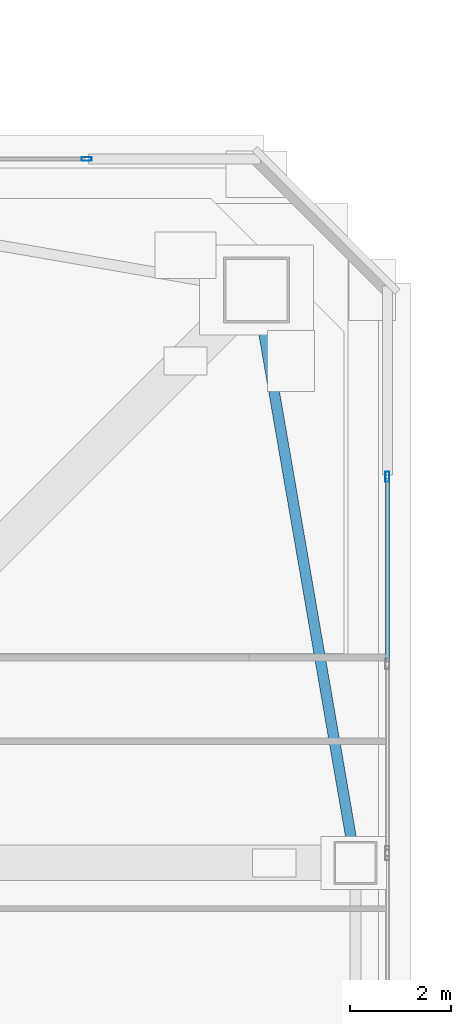
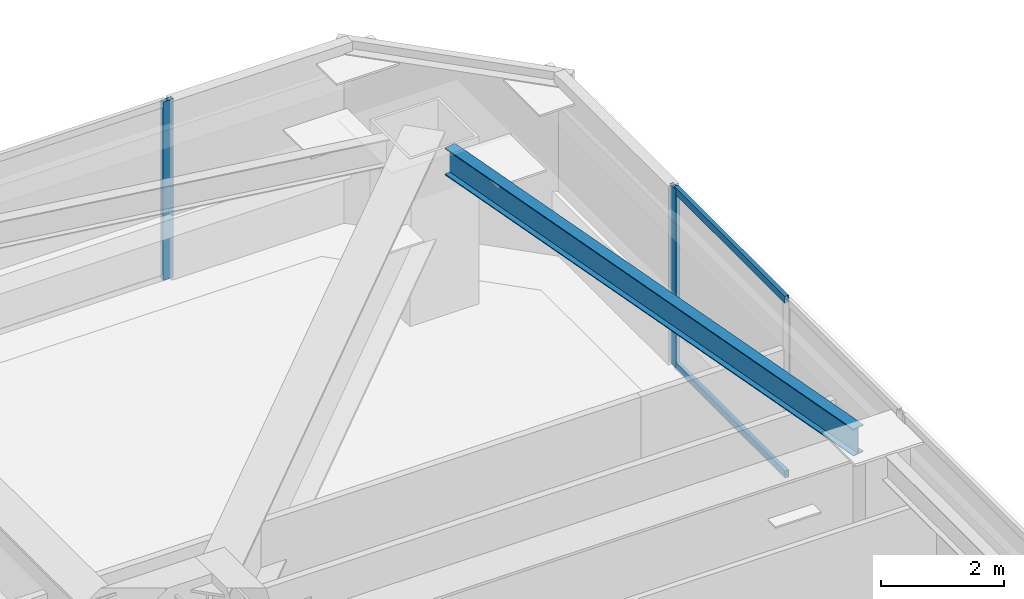
# One storey, part 15 of 42: 4 members, 1 beam, 2 elements without a shape of their own.
"""IFC4 building model written with IfcOpenShell, lengths in metres."""

from ifc_helpers import new_model, si_unit, direction, frame, origin, origin_2d, place, context, subcontext, project, spatial, hollow_rectangle, i_section, extrude, material, material_profile, profile_set, type_object, element, aggregate, save


model = new_model("IFC4")

# Units and contexts
model_context = context("Model", 3, precision=1e-05, world=origin(), true_north=direction((0.0, 1.0)))
body_context = subcontext(model_context, "Body", "Model", "MODEL_VIEW")
ifc_project = project(units=[si_unit("LENGTHUNIT", "METRE"), si_unit("AREAUNIT", "SQUARE_METRE"), si_unit("VOLUMEUNIT", "CUBIC_METRE"), si_unit("PLANEANGLEUNIT", "RADIAN"), si_unit("MASSUNIT", "GRAM", prefix="KILO")], contexts=[model_context])

# Site, building, storey
site_placement = place(None, origin())
site = spatial("IfcSite", under=ifc_project, at=site_placement, CompositionType="ELEMENT")
building_placement = place(site_placement, origin())
building = spatial("IfcBuilding", under=site, at=building_placement, Name="Tashvorn Skyway Center", CompositionType="ELEMENT")
storey_placement = place(building_placement, frame((0.0, 0.0, 153.449951171875)))
storey = spatial("IfcBuildingStorey", under=building, at=storey_placement, Name="L41", CompositionType="ELEMENT", Elevation=153.449951171875)

# Beam
ifc_material_1 = material(Name="Steel ASTM A992 Grade 50", Category="steel")
ifc_material_profile_1 = material_profile(ifc_material_1, i_section(OverallWidth=0.2109375, OverallDepth=0.5390625, WebThickness=0.01171875, FlangeThickness=0.018798828125, at=origin_2d()), Name="W21X73")
ifc_profile_set_1 = profile_set([ifc_material_profile_1], Name="Steel ASTM A992 Grade 50")
beam_type = type_object("IfcBeamType", Name="BM-SPANDREL-W21X73", PredefinedType="SPANDREL", material=ifc_profile_set_1)
beam_placement = place(storey_placement, frame((60.57861328125, 37.81396484375, 3.1005859375), z_axis=(-0.170067250846, 0.985432458462, 0.0), x_axis=(-0.985432458462, -0.170067250846, 0.0)))
element("IfcBeam", 1, at=beam_placement, inside=storey, type_object=beam_type, Name="Tower 1 L41 Spandrel Beam 06", PredefinedType="SPANDREL", context=body_context, shape_type="SweptSolid", body=[
    extrude(i_section(OverallWidth=0.2109375, OverallDepth=0.5390625, WebThickness=0.01171875, FlangeThickness=0.018798828125, at=origin_2d()), origin(), (0.0, 0.0, 1.0), 10.402099609375),
])

# Curtain wall, member
ifc_material_2 = material(Name="Thermally broken bronze-anodized aluminium 6063-T6", Category="aluminium")
curtain_wall_type = type_object("IfcCurtainWallType", Name="CW-CW-Z3", PredefinedType="NOTDEFINED", material=ifc_material_2)
curtain_wall_1_placement = place(storey_placement, origin())
curtain_wall_1 = element("IfcCurtainWall", 2, at=curtain_wall_1_placement, inside=storey, type_object=curtain_wall_type, Name="Tower 1 L41 North Curtain Wall R Glazing Group 1", PredefinedType="NOTDEFINED")
ifc_material_profile_2 = material_profile(ifc_material_2, hollow_rectangle(XDim=0.074951171875, YDim=0.199951171875, WallThickness=0.00439453125, at=origin_2d()), Name="ALU-MULL-75x200")
ifc_profile_set_2 = profile_set([ifc_material_profile_2], Name="Thermally broken bronze-anodized aluminium 6063-T6")
member_type_1 = type_object("IfcMemberType", Name="CWM-CW-Z3", PredefinedType="MULLION", material=ifc_profile_set_2)
member_1_placement = place(storey_placement, frame((55.34912109375, 51.280029296875, 0.0), z_axis=(0.0, 0.0, 1.0), x_axis=(0.0, 1.0, 0.0)))
member_1 = element("IfcMember", 3, at=member_1_placement, type_object=member_type_1, Name="CW-Z3 mullion 3", PredefinedType="MULLION", context=body_context, shape_type="SweptSolid", body=[
    extrude(hollow_rectangle(XDim=0.074951171875, YDim=0.199951171875, WallThickness=0.00439453125, at=origin_2d()), origin(), (0.0, 0.0, 1.0), 3.550048828125),
])
aggregate(curtain_wall_1, [member_1])

# Curtain wall, members
curtain_wall_2_placement = place(storey_placement, origin())
curtain_wall_2 = element("IfcCurtainWall", 4, at=curtain_wall_2_placement, inside=storey, type_object=curtain_wall_type, Name="Tower 1 L41 East Unitised Curtain Wall Glazing Group 1", PredefinedType="NOTDEFINED")
member_2_placement = place(storey_placement, frame((61.280029296875, 45.013671875, 0.0), z_axis=(0.0, 0.0, 1.0), x_axis=(1.0, 0.0, 0.0)))
member_2 = element("IfcMember", 5, at=member_2_placement, type_object=member_type_1, Name="CW-Z3 mullion 1", PredefinedType="MULLION", context=body_context, shape_type="SweptSolid", body=[
    extrude(hollow_rectangle(XDim=0.074951171875, YDim=0.199951171875, WallThickness=0.00439453125, at=origin_2d()), origin(), (0.0, 0.0, 1.0), 3.550048828125),
])
ifc_material_profile_3 = material_profile(ifc_material_2, hollow_rectangle(XDim=0.074951171875, YDim=0.139892578125, WallThickness=0.004150390625, at=origin_2d()), Name="ALU-TRAN-75x140")
ifc_profile_set_3 = profile_set([ifc_material_profile_3], Name="Thermally broken bronze-anodized aluminium 6063-T6")
member_type_2 = type_object("IfcMemberType", Name="CWT-CW-Z3", PredefinedType="USERDEFINED", material=ifc_profile_set_3)
member_3_placement = place(storey_placement, frame((61.280029296875, 44.97607421875, 0.03759765625), z_axis=(0.0, -1.0, 0.0), x_axis=(1.0, 0.0, 0.0)))
member_3 = element("IfcMember", 6, at=member_3_placement, type_object=member_type_2, Name="CW-Z3 transom 1.1", ObjectType="TRANSOM", PredefinedType="USERDEFINED", context=body_context, shape_type="SweptSolid", body=[
    extrude(hollow_rectangle(XDim=0.074951171875, YDim=0.139892578125, WallThickness=0.004150390625, at=origin_2d()), origin(), (0.0, 0.0, 1.0), 3.616455078125),
])
member_4_placement = place(storey_placement, frame((61.280029296875, 44.97607421875, 3.512451171875), z_axis=(0.0, -1.0, 0.0), x_axis=(1.0, 0.0, 0.0)))
member_4 = element("IfcMember", 7, at=member_4_placement, type_object=member_type_2, Name="CW-Z3 transom 1.2", ObjectType="TRANSOM", PredefinedType="USERDEFINED", context=body_context, shape_type="SweptSolid", body=[
    extrude(hollow_rectangle(XDim=0.074951171875, YDim=0.139892578125, WallThickness=0.004150390625, at=origin_2d()), origin(), (0.0, 0.0, 1.0), 3.616455078125),
])
aggregate(curtain_wall_2, [member_2, member_3, member_4])

save(model, "model.ifc")
